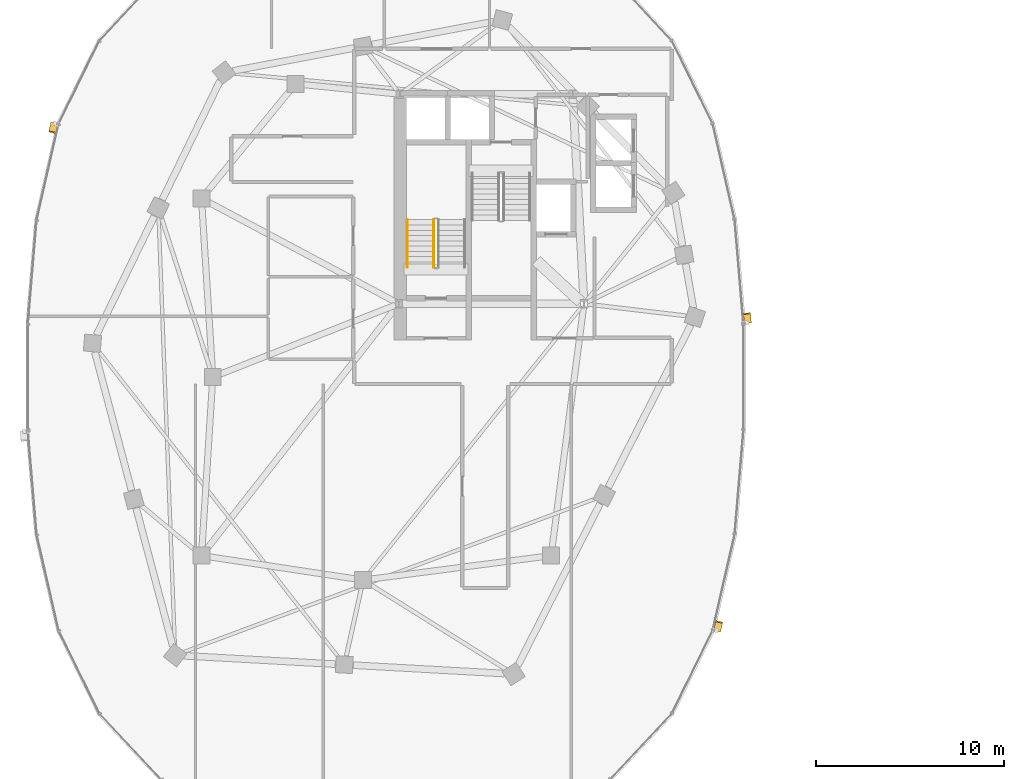
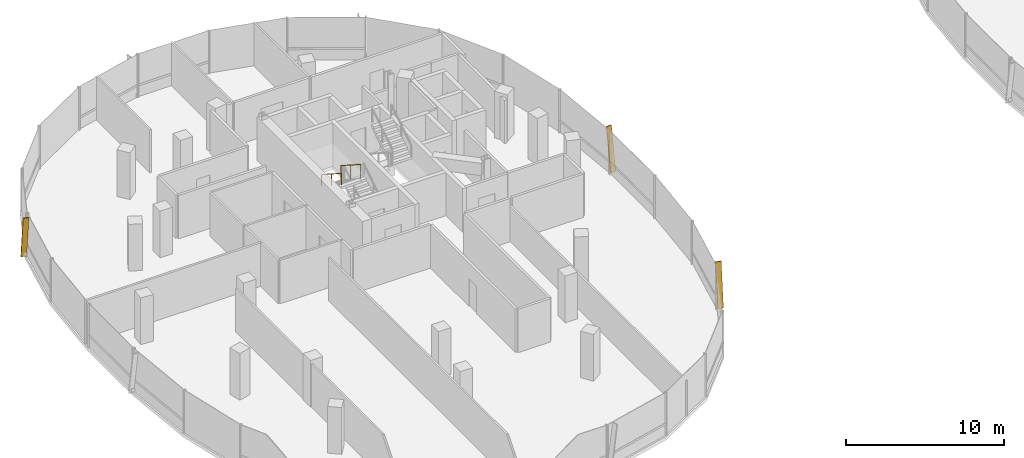
# One storey, part 22 of 25: 3 shading devices, 2 railings.
"""IFC4 building model written with IfcOpenShell, lengths in metres."""

import ifcopenshell
import ifcopenshell.guid

model = None  # the IFC model being written
_history = None  # IfcOwnerHistory: only IFC2X3 demands one
_inside = {}  # id of a spatial element -> (the spatial element, [elements in it])
_under = {}  # id of a project, library or spatial element -> (it, [spatial elements below it])
_declared = {}  # id of a project -> (the project, [libraries it declares])
_typed = {}  # id of a type object -> (the type object, [elements of that type])
_made_of = {}  # id of a material, layer set ... -> (it, [elements and type objects made of it])


def new_model(schema):
    """Start an empty IFC model of exactly this schema.

    Asked for "IFC4X3", IfcOpenShell would pick the latest addendum, in which some entities
    have other attributes; the version numbers below select the first issue.
    IFC2X3 requires an IfcOwnerHistory on every rooted entity: one is made here for all.
    """
    global model, _history
    if schema == "IFC4X3":
        model = ifcopenshell.file(schema_version=(4, 3, 0, 0))
    else:
        model = ifcopenshell.file(schema=schema)
    _inside.clear()
    _under.clear()
    _declared.clear()
    _typed.clear()
    _made_of.clear()
    _history = None
    if model.schema == "IFC2X3":
        org = make("IfcOrganization", Name="unknown")
        user = make(
            "IfcPersonAndOrganization",
            ThePerson=make("IfcPerson", FamilyName="unknown"),
            TheOrganization=org,
        )
        app = make(
            "IfcApplication",
            ApplicationDeveloper=org,
            Version="unknown",
            ApplicationFullName="unknown",
            ApplicationIdentifier="unknown",
        )
        _history = make(
            "IfcOwnerHistory",
            OwningUser=user,
            OwningApplication=app,
            ChangeAction="ADDED",
            CreationDate=0,
        )
    return model


def make(cls, **values):
    """One entity of the class cls with the attributes given. An attribute that is None is left unset."""
    return model.create_entity(
        cls, **{name: value for name, value in values.items() if value is not None}
    )


def rooted(cls, **values):
    """An entity with a GlobalId (a new one), such as an element, a storey or a relation."""
    return make(cls, GlobalId=ifcopenshell.guid.new(), OwnerHistory=_history, **values)


def si_unit(unit_type, name, prefix=None):
    """IfcSIUnit, for example si_unit("LENGTHUNIT", "METRE", prefix="MILLI")."""
    return make("IfcSIUnit", UnitType=unit_type, Prefix=prefix, Name=name)


def assignment(units):
    """IfcUnitAssignment: the units of a project."""
    return None if units is None else make("IfcUnitAssignment", Units=units)


def point(xyz):
    """IfcCartesianPoint."""
    return None if xyz is None else make("IfcCartesianPoint", Coordinates=xyz)


def direction(xyz):
    """IfcDirection."""
    return None if xyz is None else make("IfcDirection", DirectionRatios=xyz)


def frame(location, z_axis=None, x_axis=None):
    """IfcAxis2Placement3D, a coordinate frame: its origin and axes. An axis left out is left unset."""
    return make(
        "IfcAxis2Placement3D",
        Location=point(location),
        Axis=direction(z_axis),
        RefDirection=direction(x_axis),
    )


def frame_2d(location, x_axis=None):
    """IfcAxis2Placement2D, a coordinate frame in the plane: its origin and x axis."""
    return make(
        "IfcAxis2Placement2D", Location=point(location), RefDirection=direction(x_axis)
    )


def origin():
    """The frame at (0, 0, 0) with its axes left unset."""
    return frame((0.0, 0.0, 0.0))


def origin_2d():
    """The frame at (0, 0) in the plane with its x axis left unset."""
    return frame_2d((0.0, 0.0))


def place(relative_to, where):
    """IfcLocalPlacement: puts the frame where relative to a parent placement (None: the world)."""
    return make(
        "IfcLocalPlacement", PlacementRelTo=relative_to, RelativePlacement=where
    )


def context(
    kind, dimensions, precision=None, world=None, true_north=None, identifier=None
):
    """IfcGeometricRepresentationContext, for example the 3D "Model" context."""
    return make(
        "IfcGeometricRepresentationContext",
        ContextIdentifier=identifier,
        ContextType=kind,
        CoordinateSpaceDimension=dimensions,
        Precision=precision,
        WorldCoordinateSystem=world,
        TrueNorth=true_north,
    )


def subcontext(parent, identifier, kind, view, scale=None):
    """IfcGeometricRepresentationSubContext, for example "Body" below "Model"."""
    return make(
        "IfcGeometricRepresentationSubContext",
        ContextIdentifier=identifier,
        ContextType=kind,
        ParentContext=parent,
        TargetScale=scale,
        TargetView=view,
    )


def project(units=None, contexts=None):
    """IfcProject with its units and contexts."""
    return rooted(
        "IfcProject",
        Name="project",
        RepresentationContexts=contexts,
        UnitsInContext=assignment(units),
    )


def spatial(cls, under=None, at=None, **own):
    """A site, building, storey or space (cls), placed at a placement, below another one or the project."""
    s = rooted(cls, ObjectPlacement=at, **own)
    if under is not None:
        _under.setdefault(under.id(), (under, []))[1].append(s)
    return s


def profile(cls, at=None, kind="AREA", **sizes):
    """A parametric profile (cls). Its sizes go by their IFC names, for example OverallWidth=200.0."""
    return make(cls, ProfileType=kind, Position=at, **sizes)


def rectangle(**sizes):
    """IfcRectangleProfileDef."""
    return profile("IfcRectangleProfileDef", **sizes)


def extrude(swept, where, along, depth):
    """IfcExtrudedAreaSolid: the profile swept, set in the frame where, extruded along a direction by depth."""
    return make(
        "IfcExtrudedAreaSolid",
        SweptArea=swept,
        Position=where,
        ExtrudedDirection=direction(along),
        Depth=depth,
    )


def shape(context_of_items, identifier, shape_type, items):
    """IfcShapeRepresentation: the items that make up one representation, for example the "Body"."""
    return make(
        "IfcShapeRepresentation",
        ContextOfItems=context_of_items,
        RepresentationIdentifier=identifier,
        RepresentationType=shape_type,
        Items=items,
    )


def material(Name=None, Category=None):
    """IfcMaterial."""
    return make("IfcMaterial", Name=Name, Category=Category)


def material_profile(
    of_material, cross_section, Name=None, Category=None, Priority=None
):
    """IfcMaterialProfile: a cross section and its material."""
    return make(
        "IfcMaterialProfile",
        Name=Name,
        Material=of_material,
        Profile=cross_section,
        Priority=Priority,
        Category=Category,
    )


def profile_set(profiles, Name=None, composite=None):
    """IfcMaterialProfileSet."""
    return make(
        "IfcMaterialProfileSet",
        Name=Name,
        MaterialProfiles=profiles,
        CompositeProfile=composite,
    )


def made_of(thing, what):
    """Note that an element or type object is made of a material, layer set ...; save() writes the relation."""
    if what is not None:
        _made_of.setdefault(what.id(), (what, []))[1].append(thing)
    return thing


def type_object(cls, material=None, **own):
    """A type object (cls), such as IfcWallType, which elements share."""
    return made_of(rooted(cls, **own), material)


def element(
    cls,
    number,
    at=None,
    inside=None,
    cuts=None,
    type_object=None,
    material=None,
    context=None,
    identifier="Body",
    shape_type=None,
    held_by="IfcProductDefinitionShape",
    body=None,
    shapes=None,
    **own,
):
    """One element of the class cls, such as IfcWall. Its Tag is "e" and its number.

    at: its placement. inside: the storey or other place that contains it. cuts: it is an
    opening in that element (IfcRelVoidsElement). A single representation is given by context,
    identifier, shape_type and body (its items); several are given by shapes. held_by: the class
    of the entity that holds the representations. save() writes the other relations.
    """
    e = rooted(cls, Tag="e%d" % number, ObjectPlacement=at, **own)
    if body is not None:
        shapes = [shape(context, identifier, shape_type, body)]
    if shapes is not None:
        e.Representation = make(held_by, Representations=shapes)
    if inside is not None:
        _inside.setdefault(inside.id(), (inside, []))[1].append(e)
    if cuts is not None:
        rooted(
            "IfcRelVoidsElement", RelatingBuildingElement=cuts, RelatedOpeningElement=e
        )
    if type_object is not None:
        _typed.setdefault(type_object.id(), (type_object, []))[1].append(e)
    return made_of(e, material)


def aggregate(whole, parts):
    """IfcRelAggregates: a whole, such as a stair, and the parts it consists of."""
    return rooted("IfcRelAggregates", RelatingObject=whole, RelatedObjects=parts)


def save(model, path):
    """Write the relations noted so far, then the file.

    IfcRelAggregates (storeys below a building ...), IfcRelContainedInSpatialStructure (elements
    in a storey), IfcRelDefinesByType, IfcRelAssociatesMaterial and IfcRelDeclares: one each for
    every whole, place, type object, material and project.
    """
    for whole, parts in _under.values():
        aggregate(whole, parts)
    for where, things in _inside.values():
        rooted(
            "IfcRelContainedInSpatialStructure",
            RelatedElements=things,
            RelatingStructure=where,
        )
    for kind, things in _typed.values():
        rooted("IfcRelDefinesByType", RelatedObjects=things, RelatingType=kind)
    for what, things in _made_of.values():
        rooted("IfcRelAssociatesMaterial", RelatedObjects=things, RelatingMaterial=what)
    for by, libraries in _declared.values():
        rooted("IfcRelDeclares", RelatingContext=by, RelatedDefinitions=libraries)
    model.write(path)


model = new_model("IFC4")

# Units and contexts
model_context = context("Model", 3, precision=1e-05, world=origin(), true_north=direction((0.0, 1.0)))
body_context = subcontext(model_context, "Body", "Model", "MODEL_VIEW")
ifc_project = project(units=[si_unit("LENGTHUNIT", "METRE"), si_unit("AREAUNIT", "SQUARE_METRE"), si_unit("VOLUMEUNIT", "CUBIC_METRE"), si_unit("PLANEANGLEUNIT", "RADIAN"), si_unit("MASSUNIT", "GRAM", prefix="KILO"), si_unit("THERMODYNAMICTEMPERATUREUNIT", "KELVIN"), si_unit("POWERUNIT", "WATT")], contexts=[model_context])

# Site, building, storey
site_placement = place(None, origin())
site = spatial("IfcSite", under=ifc_project, at=site_placement, CompositionType="ELEMENT")
building_placement = place(site_placement, origin())
building = spatial("IfcBuilding", under=site, at=building_placement, Name="Cundina Bronze Exchange", CompositionType="ELEMENT")
storey_placement = place(building_placement, frame((0.0, 0.0, 191.800048828125)))
storey = spatial("IfcBuildingStorey", under=building, at=storey_placement, Name="L50", CompositionType="ELEMENT", Elevation=191.800048828125)

# Railings
ifc_material_1 = material(Name="Steel ASTM A36 Painted", Category="steel")
railing_type_1 = type_object("IfcRailingType", Name="RLG-HND-900", PredefinedType="HANDRAIL", material=ifc_material_1)
railing_1_placement = place(storey_placement, frame((-30.85009765625, 8.3701171875, 1.97998046875)))
element("IfcRailing", 1, at=railing_1_placement, inside=storey, type_object=railing_type_1, Name="L50 ST-W1 stair handrail 2", PredefinedType="HANDRAIL", context=body_context, shape_type="SweptSolid", body=[
    extrude(rectangle(XDim=0.048095703125, YDim=0.048095703125, at=origin_2d()), frame((0.0, 0.0, 0.8759765625), z_axis=(0.0, -0.841199657755, 0.540724639528), x_axis=(1.0, 0.0, 0.0)), (0.0, 0.0, 1.0), 2.995849609375),
    extrude(rectangle(XDim=0.0419921875, YDim=0.0419921875, at=origin_2d()), origin(), (0.0, 0.0, 1.0), 0.851806640625),
    extrude(rectangle(XDim=0.0419921875, YDim=0.0419921875, at=origin_2d()), frame((0.0, -1.260009765625, 0.81005859375)), (0.0, 0.0, 1.0), 0.851806640625),
    extrude(rectangle(XDim=0.0419921875, YDim=0.0419921875, at=origin_2d()), frame((0.0, -2.52001953125, 1.619873046875)), (0.0, 0.0, 1.0), 0.851806640625),
])
railing_type_2 = type_object("IfcRailingType", Name="RLG-STG-1100", PredefinedType="GUARDRAIL", material=ifc_material_1)
railing_2_placement = place(storey_placement, frame((-29.449951171875, 8.3701171875, 1.97998046875)))
element("IfcRailing", 2, at=railing_2_placement, inside=storey, type_object=railing_type_2, Name="L50 ST-W1 stair guard 3", PredefinedType="GUARDRAIL", context=body_context, shape_type="SweptSolid", body=[
    extrude(rectangle(XDim=0.048095703125, YDim=0.048095703125, at=origin_2d()), frame((0.0, 0.0, 1.076171875), z_axis=(0.0, -0.841199657755, 0.540724639528), x_axis=(1.0, 0.0, 0.0)), (0.0, 0.0, 1.0), 2.995849609375),
    extrude(rectangle(XDim=0.0419921875, YDim=0.0419921875, at=origin_2d()), origin(), (0.0, 0.0, 1.0), 1.052001953125),
    extrude(rectangle(XDim=0.0419921875, YDim=0.0419921875, at=origin_2d()), frame((0.0, -1.260009765625, 0.81005859375)), (0.0, 0.0, 1.0), 1.052001953125),
    extrude(rectangle(XDim=0.0419921875, YDim=0.0419921875, at=origin_2d()), frame((0.0, -2.52001953125, 1.619873046875)), (0.0, 0.0, 1.0), 1.052001953125),
])

# Shading devices
ifc_material_2 = material(Name="Anodised Bronze Aluminium 6063-T6", Category="aluminium")
ifc_material_profile = material_profile(ifc_material_2, rectangle(XDim=0.070068359375, YDim=0.3798828125, at=origin_2d()), Name="FIN70X380", Category="aluminium")
ifc_profile_set = profile_set([ifc_material_profile], Name="Anodised Bronze Aluminium 6063-T6")
shading_device_type = type_object("IfcShadingDeviceType", Name="SHD-FIN-BRZ380", PredefinedType="USERDEFINED", material=ifc_profile_set)
for number, where, z_axis, x_axis, name in (
    (3, (-12.735595703125, 2.90283203125, 0.02001953125), (-0.012006555776, 0.143419772964, 0.98958911238), (0.082555834947, -0.986139516224, 0.143921466983), "L50 Diagonal Bronze Solar Fin 1"),
    (4, (-49.636962890625, 13.4931640625, 0.02001953125), (-0.032139238682, -0.140343782583, 0.989581068951), (0.220899412839, 0.964610875656, 0.14397676192), "L50 Diagonal Bronze Solar Fin 5"),
    (5, (-14.363037109375, -13.4931640625, 0.02001953125), (0.032139238682, 0.140343782583, 0.989581068951), (-0.220899412839, -0.964610875656, 0.14397676192), "L50 Diagonal Bronze Solar Fin 5"),
):
    element("IfcShadingDevice", number, at=place(storey_placement, frame(where, z_axis=z_axis, x_axis=x_axis)), inside=storey, type_object=shading_device_type, Name=name, ObjectType="FIN", PredefinedType="USERDEFINED", context=body_context, shape_type="SweptSolid", body=[
        extrude(rectangle(XDim=0.070068359375, YDim=0.3798828125, at=origin_2d()), origin(), (0.0, 0.0, 1.0), 3.334716796875),
    ])

save(model, "model.ifc")
